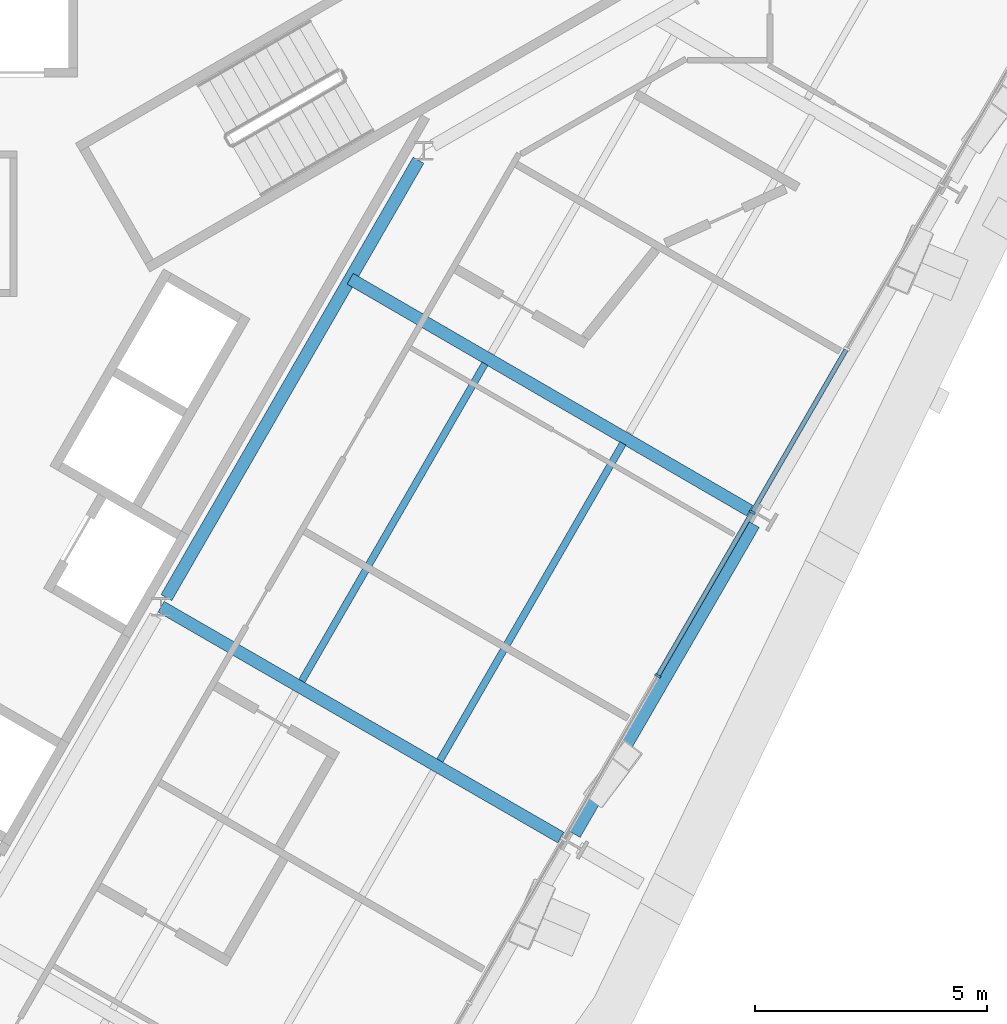
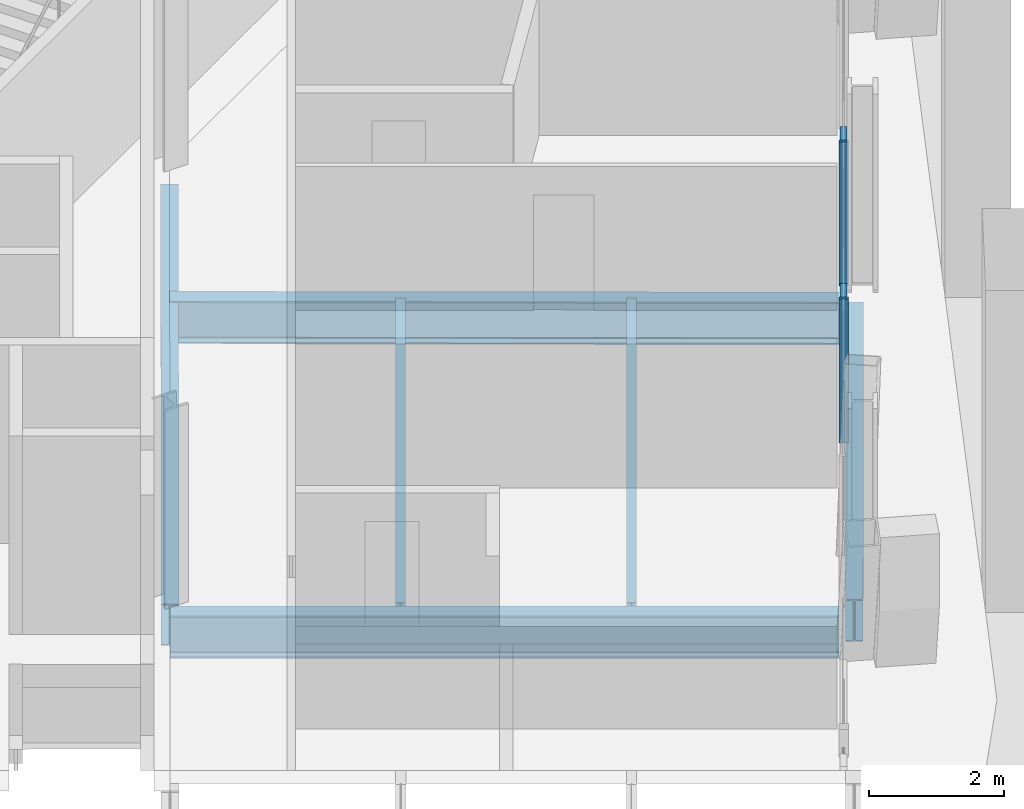
# One storey, part 6 of 19: 6 beams, 4 members, 1 element without a shape of its own.
"""IFC4 building model written with IfcOpenShell, lengths in metres."""

from ifc_helpers import new_model, si_unit, direction, frame, origin, origin_2d, place, context, subcontext, project, spatial, rectangle, i_section, extrude, material, material_profile, profile_set, type_object, element, aggregate, save


model = new_model("IFC4")

# Units and contexts
model_context = context("Model", 3, precision=1e-05, world=origin(), true_north=direction((0.0, 1.0)))
body_context = subcontext(model_context, "Body", "Model", "MODEL_VIEW")
ifc_project = project(units=[si_unit("LENGTHUNIT", "METRE"), si_unit("AREAUNIT", "SQUARE_METRE"), si_unit("VOLUMEUNIT", "CUBIC_METRE"), si_unit("PLANEANGLEUNIT", "RADIAN"), si_unit("MASSUNIT", "GRAM", prefix="KILO")], contexts=[model_context])

# Site, building, storey
site_placement = place(None, origin())
site = spatial("IfcSite", under=ifc_project, at=site_placement, CompositionType="ELEMENT")
building_placement = place(site_placement, origin())
building = spatial("IfcBuilding", under=site, at=building_placement, Name="Verrane Prism Tower", CompositionType="ELEMENT")
storey_placement = place(building_placement, frame((0.0, 0.0, 121.60009765625)))
storey = spatial("IfcBuildingStorey", under=building, at=storey_placement, Name="L29", CompositionType="ELEMENT", Elevation=121.60009765625)

# Beams
ifc_material_1 = material(Name="Steel A992", Category="steel")
ifc_material_profile_1 = material_profile(ifc_material_1, i_section(OverallWidth=0.2666015625, OverallDepth=0.7568359375, WebThickness=0.013916015625, FlangeThickness=0.019287109375, FilletRadius=0.0166015625, at=origin_2d()), Name="W30x108")
ifc_profile_set_1 = profile_set([ifc_material_profile_1], Name="Steel A992")
beam_type_1 = type_object("IfcBeamType", Name="Core ring girder W30x108", PredefinedType="BEAM", material=ifc_profile_set_1)
beam_1_placement = place(storey_placement, frame((8.0849609375, -4.400634765625, -0.628662109375), z_axis=(0.4993706109, 0.866388476937, 0.0), x_axis=(-0.866388476937, 0.4993706109, 0.0)))
element("IfcBeam", 1, at=beam_1_placement, inside=storey, type_object=beam_type_1, Name="Core ring girder L29", PredefinedType="BEAM", context=body_context, shape_type="SweptSolid", body=[
    extrude(i_section(OverallWidth=0.2666015625, OverallDepth=0.7568359375, WebThickness=0.013916015625, FlangeThickness=0.019287109375, FilletRadius=0.0166015625, at=origin_2d()), origin(), (0.0, 0.0, 1.0), 10.8740234375),
])
ifc_material_2 = material(Name="Steel A992", Category="steel")
ifc_material_profile_2 = material_profile(ifc_material_2, i_section(OverallWidth=0.15234375, OverallDepth=0.449462890625, WebThickness=0.007568359375, FlangeThickness=0.0107421875, FilletRadius=0.01025390625, at=origin_2d()), Name="W18x35")
ifc_profile_set_2 = profile_set([ifc_material_profile_2], Name="Steel A992")
beam_type_2 = type_object("IfcBeamType", Name="Floor beam W18x35", PredefinedType="BEAM", material=ifc_profile_set_2)
beam_2_placement = place(storey_placement, frame((13.9755859375, -7.910400390625, -0.385009765625), z_axis=(0.500013573458, 0.866017567003, 0.0), x_axis=(-0.866017567003, 0.500013573458, 0.0)))
element("IfcBeam", 2, at=beam_2_placement, inside=storey, type_object=beam_type_2, Name="Floor beam L29", PredefinedType="BEAM", context=body_context, shape_type="SweptSolid", body=[
    extrude(i_section(OverallWidth=0.15234375, OverallDepth=0.449462890625, WebThickness=0.007568359375, FlangeThickness=0.0107421875, FilletRadius=0.01025390625, at=origin_2d()), origin(), (0.0, 0.0, 1.0), 7.888427734375),
])
beam_3_placement = place(storey_placement, frame((11.001708984375, -6.19482421875, -0.385009765625), z_axis=(0.50000639086, 0.866021713988, 0.0), x_axis=(-0.866021713988, 0.50000639086, 0.0)))
element("IfcBeam", 3, at=beam_3_placement, inside=storey, type_object=beam_type_2, Name="Floor beam L29", PredefinedType="BEAM", context=body_context, shape_type="SweptSolid", body=[
    extrude(i_section(OverallWidth=0.15234375, OverallDepth=0.449462890625, WebThickness=0.007568359375, FlangeThickness=0.0107421875, FilletRadius=0.01025390625, at=origin_2d()), origin(), (0.0, 0.0, 1.0), 7.8896484375),
])

# Curtain wall, members
ifc_material_3 = material(Name="Aluminium framed insulated glazing", Category="aluminium")
curtain_wall_type = type_object("IfcCurtainWallType", Name="Curtain wall CW-C 4200 module", PredefinedType="NOTDEFINED", material=ifc_material_3)
curtain_wall_placement = place(storey_placement, origin())
curtain_wall = element("IfcCurtainWall", 4, at=curtain_wall_placement, inside=storey, type_object=curtain_wall_type, Name="Glazed curtain wall south-east face L29", PredefinedType="NOTDEFINED")
ifc_material_4 = material(Name="Aluminium alloy 6063-T6", Category="aluminium")
ifc_material_profile_3 = material_profile(ifc_material_4, rectangle(XDim=0.139892578125, YDim=0.050048828125, at=origin_2d()), Name="Mullion 50x140 aluminium")
ifc_profile_set_3 = profile_set([ifc_material_profile_3], Name="Aluminium alloy 6063-T6")
member_type_1 = type_object("IfcMemberType", Name="Mullion 50x140 aluminium", PredefinedType="MULLION", material=ifc_profile_set_3)
member_1_placement = place(storey_placement, frame((18.67041015625, -6.083984375, 0.0), z_axis=(0.0, 0.0, 1.0), x_axis=(-0.866025327793, 0.500000131621, 0.0)))
member_1 = element("IfcMember", 5, at=member_1_placement, type_object=member_type_1, Name="CW29.6 mullion 8", PredefinedType="MULLION", context=body_context, shape_type="SweptSolid", body=[
    extrude(rectangle(XDim=0.139892578125, YDim=0.050048828125, at=origin_2d()), origin(), (0.0, 0.0, 1.0), 2.61279296875),
])
member_2_placement = place(storey_placement, frame((20.70361328125, -2.562255859375, 0.0), z_axis=(0.0, 0.0, 1.0), x_axis=(-0.866025327793, 0.500000131621, 0.0)))
member_2 = element("IfcMember", 6, at=member_2_placement, type_object=member_type_1, Name="CW29.6 mullion 9", PredefinedType="MULLION", context=body_context, shape_type="SweptSolid", body=[
    extrude(rectangle(XDim=0.139892578125, YDim=0.050048828125, at=origin_2d()), origin(), (0.0, 0.0, 1.0), 2.61279296875),
])

# Beams
ifc_material_5 = material(Name="Steel A992", Category="steel")
ifc_material_profile_4 = material_profile(ifc_material_5, i_section(OverallWidth=0.2666015625, OverallDepth=0.76708984375, WebThickness=0.014892578125, FlangeThickness=0.023681640625, FilletRadius=0.0166015625, at=origin_2d()), Name="W30x124")
ifc_profile_set_4 = profile_set([ifc_material_profile_4], Name="Steel A992")
beam_type_3 = type_object("IfcBeamType", Name="Radial girder W30x124", PredefinedType="BEAM", material=ifc_profile_set_4)
beam_4_placement = place(storey_placement, frame((16.579833984375, -9.56689453125, -0.603515625), z_axis=(-0.86602320372, 0.500003810605, 0.0), x_axis=(-0.500003810605, -0.86602320372, 0.0)))
element("IfcBeam", 7, at=beam_4_placement, inside=storey, type_object=beam_type_3, Name="Radial girder L29", PredefinedType="BEAM", context=body_context, shape_type="SweptSolid", body=[
    extrude(i_section(OverallWidth=0.2666015625, OverallDepth=0.76708984375, WebThickness=0.014892578125, FlangeThickness=0.023681640625, FilletRadius=0.0166015625, at=origin_2d()), origin(), (0.0, 0.0, 1.0), 9.93994140625),
])
beam_5_placement = place(storey_placement, frame((20.648193359375, -2.52685546875, -0.603515625), z_axis=(-0.864855624195, 0.502020666206, 0.0), x_axis=(-0.502020666206, -0.864855624195, 0.0)))
element("IfcBeam", 8, at=beam_5_placement, inside=storey, type_object=beam_type_3, Name="Radial girder L29", PredefinedType="BEAM", context=body_context, shape_type="SweptSolid", body=[
    extrude(i_section(OverallWidth=0.2666015625, OverallDepth=0.76708984375, WebThickness=0.014892578125, FlangeThickness=0.023681640625, FilletRadius=0.0166015625, at=origin_2d()), origin(), (0.0, 0.0, 1.0), 9.948974609375),
])
ifc_material_6 = material(Name="Steel A992", Category="steel")
ifc_material_profile_5 = material_profile(ifc_material_6, i_section(OverallWidth=0.2666015625, OverallDepth=0.7568359375, WebThickness=0.013916015625, FlangeThickness=0.019287109375, FilletRadius=0.0166015625, at=origin_2d()), Name="W30x108")
ifc_profile_set_5 = profile_set([ifc_material_profile_5], Name="Steel A992")
beam_type_4 = type_object("IfcBeamType", Name="Spandrel beam W30x108", PredefinedType="SPANDREL", material=ifc_profile_set_5)
beam_6_placement = place(storey_placement, frame((16.881591796875, -9.499267578125, -0.53857421875), z_axis=(0.500347221437, 0.865824842563, 0.0), x_axis=(-0.865824842563, 0.500347221437, 0.0)))
element("IfcBeam", 9, at=beam_6_placement, inside=storey, type_object=beam_type_4, Name="Spandrel beam L29", PredefinedType="SPANDREL", context=body_context, shape_type="SweptSolid", body=[
    extrude(i_section(OverallWidth=0.2666015625, OverallDepth=0.7568359375, WebThickness=0.013916015625, FlangeThickness=0.019287109375, FilletRadius=0.0166015625, at=origin_2d()), origin(), (0.0, 0.0, 1.0), 7.71142578125),
])

# Member
ifc_material_7 = material(Name="Aluminium alloy 6063-T6", Category="aluminium")
ifc_material_profile_6 = material_profile(ifc_material_7, rectangle(XDim=0.10009765625, YDim=0.050048828125, at=origin_2d()), Name="Transom 50x100 aluminium")
ifc_profile_set_6 = profile_set([ifc_material_profile_6], Name="Aluminium alloy 6063-T6")
member_type_2 = type_object("IfcMemberType", Name="Transom 50x100 aluminium", PredefinedType="USERDEFINED", material=ifc_profile_set_6)
member_3_placement = place(storey_placement, frame((18.682861328125, -6.062255859375, 0.02490234375), z_axis=(0.500022371132, 0.86601248742, 0.0), x_axis=(-0.86601248742, 0.500022371132, 0.0)))
member_3 = element("IfcMember", 10, at=member_3_placement, type_object=member_type_2, Name="CW29.6 transom 8", ObjectType="TRANSOM", PredefinedType="USERDEFINED", context=body_context, shape_type="SweptSolid", body=[
    extrude(rectangle(XDim=0.10009765625, YDim=0.050048828125, at=origin_2d()), origin(), (0.0, 0.0, 1.0), 4.016357421875),
])

member_4_placement = place(storey_placement, frame((20.716064453125, -2.54052734375, 0.02490234375), z_axis=(0.500022371132, 0.86601248742, 0.0), x_axis=(-0.86601248742, 0.500022371132, 0.0)))
member_4 = element("IfcMember", 11, at=member_4_placement, type_object=member_type_2, Name="CW29.6 transom 9", ObjectType="TRANSOM", PredefinedType="USERDEFINED", context=body_context, shape_type="SweptSolid", body=[
    extrude(rectangle(XDim=0.10009765625, YDim=0.050048828125, at=origin_2d()), origin(), (0.0, 0.0, 1.0), 4.016357421875),
])

aggregate(curtain_wall, [member_1, member_2, member_3, member_4])

save(model, "model.ifc")
